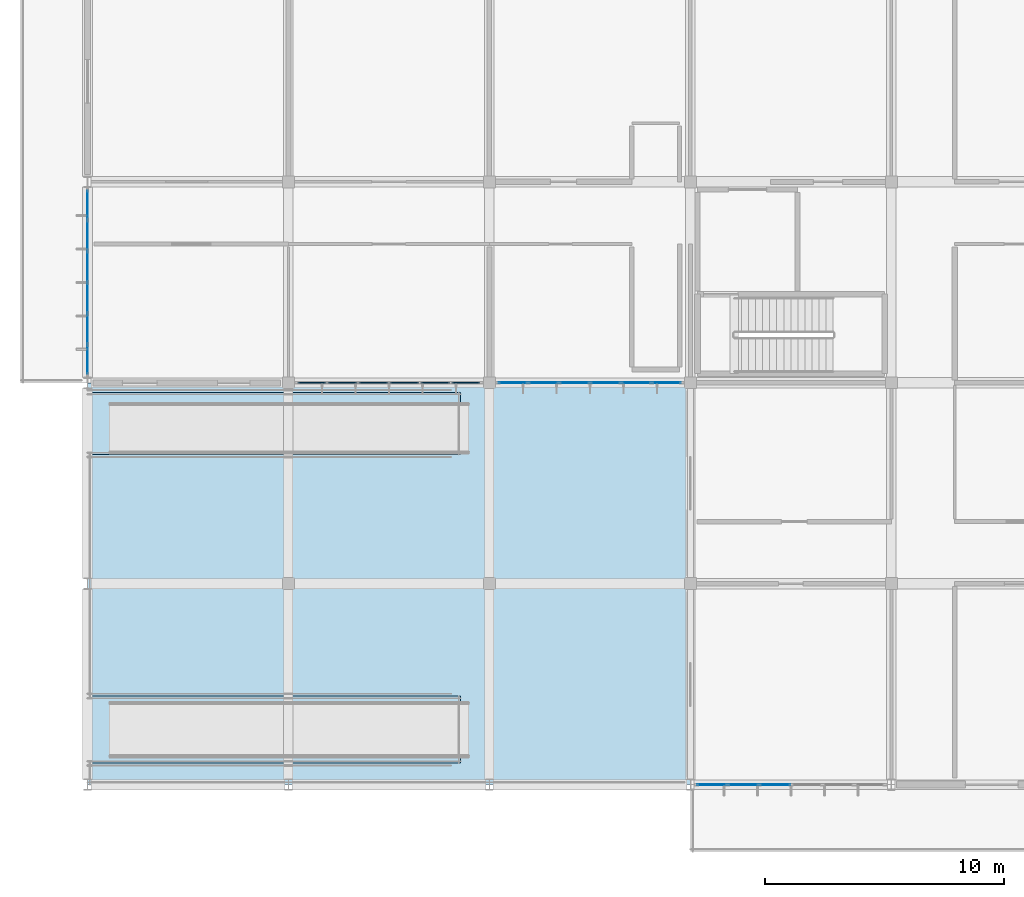
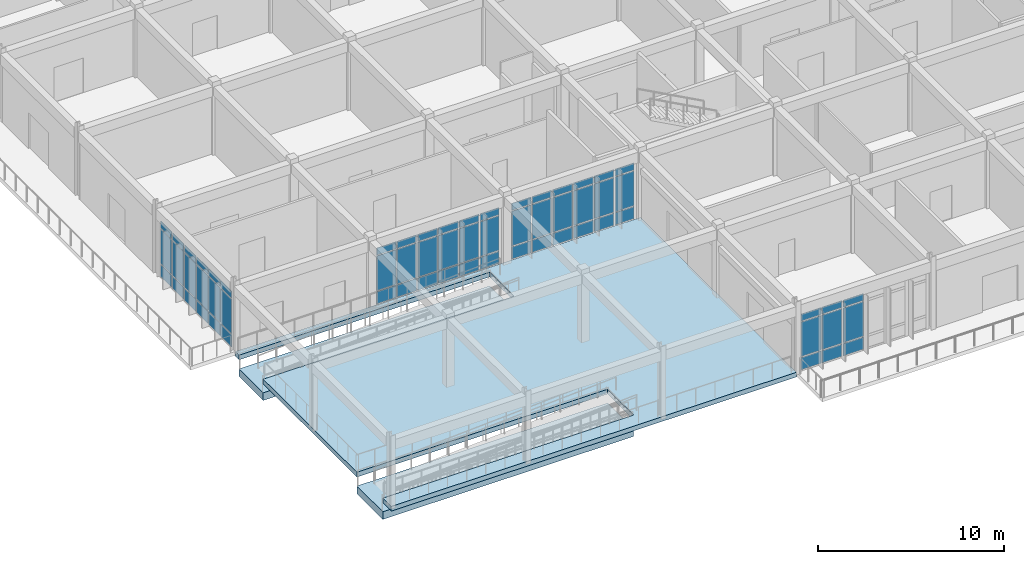
# One storey, part 63 of 138: 63 plates, 3 slabs, 4 elements without a shape of their own.
"""IFC4 building model written with IfcOpenShell, lengths in metres."""

from ifc_helpers import new_model, si_unit, direction, frame, origin, origin_2d, place, context, subcontext, project, spatial, polyline, rectangle, outline, extrude, material, layer, layer_set, type_object, element, aggregate, save


model = new_model("IFC4")

# Units and contexts
model_context = context("Model", 3, precision=1e-05, world=origin(), true_north=direction((0.0, 1.0)))
body_context = subcontext(model_context, "Body", "Model", "MODEL_VIEW")
ifc_project = project(units=[si_unit("LENGTHUNIT", "METRE"), si_unit("AREAUNIT", "SQUARE_METRE"), si_unit("VOLUMEUNIT", "CUBIC_METRE"), si_unit("PLANEANGLEUNIT", "RADIAN"), si_unit("MASSUNIT", "GRAM", prefix="KILO")], contexts=[model_context])

# Site, building, storey
site_placement = place(None, origin())
site = spatial("IfcSite", under=ifc_project, at=site_placement, CompositionType="ELEMENT")
building_placement = place(site_placement, origin())
building = spatial("IfcBuilding", under=site, at=building_placement, Name="Bramfleet General Hospital", CompositionType="ELEMENT")
storey_placement = place(building_placement, origin())
storey = spatial("IfcBuildingStorey", under=building, at=storey_placement, Name="L00", CompositionType="ELEMENT", Elevation=0.0)

# Curtain wall, plates
ifc_material_1 = material(Name="Anodised aluminium and low-E triple glazing", Category="aluminium")
ifc_layer_1 = layer(ifc_material_1, 0.179931640625, Name="CWT-CW-05")
ifc_layer_set_1 = layer_set([ifc_layer_1], Name="Anodised aluminium and low-E triple glazing")
curtain_wall_type_1 = type_object("IfcCurtainWallType", Name="CWT-CW-05", PredefinedType="USERDEFINED", material=ifc_layer_set_1)
curtain_wall_1_placement = place(storey_placement, origin())
curtain_wall_1 = element("IfcCurtainWall", 1, at=curtain_wall_1_placement, inside=storey, type_object=curtain_wall_type_1, Name="L00 Curtain Wall 41", ObjectType="Unitised curtain wall", PredefinedType="USERDEFINED")
ifc_material_2 = material(Name="Low-E laminated safety glass", Category="glass")
ifc_layer_2 = layer(ifc_material_2, 0.028076171875, Name="CWP-GLZ-1")
ifc_layer_set_2 = layer_set([ifc_layer_2], Name="Low-E laminated safety glass")
plate_type_1 = type_object("IfcPlateType", Name="CWP-GLZ-1", PredefinedType="CURTAIN_PANEL", material=ifc_layer_set_2)
plate_1_placement = place(storey_placement, frame((0.0, 17.767578125, 0.06494140625), z_axis=(0.0, 0.0, 1.0), x_axis=(0.0, 1.0, 0.0)))
plate_1 = element("IfcPlate", 2, at=plate_1_placement, type_object=plate_type_1, Name="CW-05 panel 1.1", PredefinedType="CURTAIN_PANEL", context=body_context, shape_type="SweptSolid", body=[
    extrude(rectangle(XDim=1.195068359375, YDim=0.028076171875, at=origin_2d()), origin(), (0.0, 0.0, 1.0), 0.802490234375),
])
plate_2_placement = place(storey_placement, frame((0.0, 17.767578125, 0.9326171875), z_axis=(0.0, 0.0, 1.0), x_axis=(0.0, 1.0, 0.0)))
plate_2 = element("IfcPlate", 3, at=plate_2_placement, type_object=plate_type_1, Name="CW-05 panel 1.2", PredefinedType="CURTAIN_PANEL", context=body_context, shape_type="SweptSolid", body=[
    extrude(rectangle(XDim=1.195068359375, YDim=0.028076171875, at=origin_2d()), origin(), (0.0, 0.0, 1.0), 2.27490234375),
])
plate_3_placement = place(storey_placement, frame((0.0, 17.767578125, 3.2724609375), z_axis=(0.0, 0.0, 1.0), x_axis=(0.0, 1.0, 0.0)))
plate_3 = element("IfcPlate", 4, at=plate_3_placement, type_object=plate_type_1, Name="CW-05 panel 1.3", PredefinedType="CURTAIN_PANEL", context=body_context, shape_type="SweptSolid", body=[
    extrude(rectangle(XDim=1.195068359375, YDim=0.028076171875, at=origin_2d()), origin(), (0.0, 0.0, 1.0), 0.452392578125),
])
plate_4_placement = place(storey_placement, frame((0.0, 19.050048828125, 0.06494140625), z_axis=(0.0, 0.0, 1.0), x_axis=(0.0, 1.0, 0.0)))
plate_4 = element("IfcPlate", 5, at=plate_4_placement, type_object=plate_type_1, Name="CW-05 panel 2.1", PredefinedType="CURTAIN_PANEL", context=body_context, shape_type="SweptSolid", body=[
    extrude(rectangle(XDim=1.22998046875, YDim=0.028076171875, at=origin_2d()), origin(), (0.0, 0.0, 1.0), 0.802490234375),
])
plate_5_placement = place(storey_placement, frame((0.0, 19.050048828125, 0.9326171875), z_axis=(0.0, 0.0, 1.0), x_axis=(0.0, 1.0, 0.0)))
plate_5 = element("IfcPlate", 6, at=plate_5_placement, type_object=plate_type_1, Name="CW-05 panel 2.2", PredefinedType="CURTAIN_PANEL", context=body_context, shape_type="SweptSolid", body=[
    extrude(rectangle(XDim=1.22998046875, YDim=0.028076171875, at=origin_2d()), origin(), (0.0, 0.0, 1.0), 2.27490234375),
])
plate_6_placement = place(storey_placement, frame((0.0, 19.050048828125, 3.2724609375), z_axis=(0.0, 0.0, 1.0), x_axis=(0.0, 1.0, 0.0)))
plate_6 = element("IfcPlate", 7, at=plate_6_placement, type_object=plate_type_1, Name="CW-05 panel 2.3", PredefinedType="CURTAIN_PANEL", context=body_context, shape_type="SweptSolid", body=[
    extrude(rectangle(XDim=1.22998046875, YDim=0.028076171875, at=origin_2d()), origin(), (0.0, 0.0, 1.0), 0.452392578125),
])
plate_7_placement = place(storey_placement, frame((0.0, 20.35009765625, 0.06494140625), z_axis=(0.0, 0.0, 1.0), x_axis=(0.0, 1.0, 0.0)))
plate_7 = element("IfcPlate", 8, at=plate_7_placement, type_object=plate_type_1, Name="CW-05 panel 3.1", PredefinedType="CURTAIN_PANEL", context=body_context, shape_type="SweptSolid", body=[
    extrude(rectangle(XDim=1.22998046875, YDim=0.028076171875, at=origin_2d()), origin(), (0.0, 0.0, 1.0), 0.802490234375),
])
plate_8_placement = place(storey_placement, frame((0.0, 20.35009765625, 0.9326171875), z_axis=(0.0, 0.0, 1.0), x_axis=(0.0, 1.0, 0.0)))
plate_8 = element("IfcPlate", 9, at=plate_8_placement, type_object=plate_type_1, Name="CW-05 panel 3.2", PredefinedType="CURTAIN_PANEL", context=body_context, shape_type="SweptSolid", body=[
    extrude(rectangle(XDim=1.22998046875, YDim=0.028076171875, at=origin_2d()), origin(), (0.0, 0.0, 1.0), 2.27490234375),
])
plate_9_placement = place(storey_placement, frame((0.0, 20.35009765625, 3.2724609375), z_axis=(0.0, 0.0, 1.0), x_axis=(0.0, 1.0, 0.0)))
plate_9 = element("IfcPlate", 10, at=plate_9_placement, type_object=plate_type_1, Name="CW-05 panel 3.3", PredefinedType="CURTAIN_PANEL", context=body_context, shape_type="SweptSolid", body=[
    extrude(rectangle(XDim=1.22998046875, YDim=0.028076171875, at=origin_2d()), origin(), (0.0, 0.0, 1.0), 0.452392578125),
])
plate_10_placement = place(storey_placement, frame((0.0, 21.64990234375, 0.06494140625), z_axis=(0.0, 0.0, 1.0), x_axis=(0.0, 1.0, 0.0)))
plate_10 = element("IfcPlate", 11, at=plate_10_placement, type_object=plate_type_1, Name="CW-05 panel 4.1", PredefinedType="CURTAIN_PANEL", context=body_context, shape_type="SweptSolid", body=[
    extrude(rectangle(XDim=1.22998046875, YDim=0.028076171875, at=origin_2d()), origin(), (0.0, 0.0, 1.0), 0.802490234375),
])
plate_11_placement = place(storey_placement, frame((0.0, 21.64990234375, 0.9326171875), z_axis=(0.0, 0.0, 1.0), x_axis=(0.0, 1.0, 0.0)))
plate_11 = element("IfcPlate", 12, at=plate_11_placement, type_object=plate_type_1, Name="CW-05 panel 4.2", PredefinedType="CURTAIN_PANEL", context=body_context, shape_type="SweptSolid", body=[
    extrude(rectangle(XDim=1.22998046875, YDim=0.028076171875, at=origin_2d()), origin(), (0.0, 0.0, 1.0), 2.27490234375),
])
plate_12_placement = place(storey_placement, frame((0.0, 21.64990234375, 3.2724609375), z_axis=(0.0, 0.0, 1.0), x_axis=(0.0, 1.0, 0.0)))
plate_12 = element("IfcPlate", 13, at=plate_12_placement, type_object=plate_type_1, Name="CW-05 panel 4.3", PredefinedType="CURTAIN_PANEL", context=body_context, shape_type="SweptSolid", body=[
    extrude(rectangle(XDim=1.22998046875, YDim=0.028076171875, at=origin_2d()), origin(), (0.0, 0.0, 1.0), 0.452392578125),
])
plate_13_placement = place(storey_placement, frame((0.0, 22.949951171875, 0.06494140625), z_axis=(0.0, 0.0, 1.0), x_axis=(0.0, 1.0, 0.0)))
plate_13 = element("IfcPlate", 14, at=plate_13_placement, type_object=plate_type_1, Name="CW-05 panel 5.1", PredefinedType="CURTAIN_PANEL", context=body_context, shape_type="SweptSolid", body=[
    extrude(rectangle(XDim=1.22998046875, YDim=0.028076171875, at=origin_2d()), origin(), (0.0, 0.0, 1.0), 0.802490234375),
])
plate_14_placement = place(storey_placement, frame((0.0, 22.949951171875, 0.9326171875), z_axis=(0.0, 0.0, 1.0), x_axis=(0.0, 1.0, 0.0)))
plate_14 = element("IfcPlate", 15, at=plate_14_placement, type_object=plate_type_1, Name="CW-05 panel 5.2", PredefinedType="CURTAIN_PANEL", context=body_context, shape_type="SweptSolid", body=[
    extrude(rectangle(XDim=1.22998046875, YDim=0.028076171875, at=origin_2d()), origin(), (0.0, 0.0, 1.0), 2.27490234375),
])
plate_15_placement = place(storey_placement, frame((0.0, 22.949951171875, 3.2724609375), z_axis=(0.0, 0.0, 1.0), x_axis=(0.0, 1.0, 0.0)))
plate_15 = element("IfcPlate", 16, at=plate_15_placement, type_object=plate_type_1, Name="CW-05 panel 5.3", PredefinedType="CURTAIN_PANEL", context=body_context, shape_type="SweptSolid", body=[
    extrude(rectangle(XDim=1.22998046875, YDim=0.028076171875, at=origin_2d()), origin(), (0.0, 0.0, 1.0), 0.452392578125),
])
plate_16_placement = place(storey_placement, frame((0.0, 24.232421875, 0.06494140625), z_axis=(0.0, 0.0, 1.0), x_axis=(0.0, 1.0, 0.0)))
plate_16 = element("IfcPlate", 17, at=plate_16_placement, type_object=plate_type_1, Name="CW-05 panel 6.1", PredefinedType="CURTAIN_PANEL", context=body_context, shape_type="SweptSolid", body=[
    extrude(rectangle(XDim=1.195068359375, YDim=0.028076171875, at=origin_2d()), origin(), (0.0, 0.0, 1.0), 0.802490234375),
])
plate_17_placement = place(storey_placement, frame((0.0, 24.232421875, 0.9326171875), z_axis=(0.0, 0.0, 1.0), x_axis=(0.0, 1.0, 0.0)))
plate_17 = element("IfcPlate", 18, at=plate_17_placement, type_object=plate_type_1, Name="CW-05 panel 6.2", PredefinedType="CURTAIN_PANEL", context=body_context, shape_type="SweptSolid", body=[
    extrude(rectangle(XDim=1.195068359375, YDim=0.028076171875, at=origin_2d()), origin(), (0.0, 0.0, 1.0), 2.27490234375),
])
plate_18_placement = place(storey_placement, frame((0.0, 24.232421875, 3.2724609375), z_axis=(0.0, 0.0, 1.0), x_axis=(0.0, 1.0, 0.0)))
plate_18 = element("IfcPlate", 19, at=plate_18_placement, type_object=plate_type_1, Name="CW-05 panel 6.3", PredefinedType="CURTAIN_PANEL", context=body_context, shape_type="SweptSolid", body=[
    extrude(rectangle(XDim=1.195068359375, YDim=0.028076171875, at=origin_2d()), origin(), (0.0, 0.0, 1.0), 0.452392578125),
])
aggregate(curtain_wall_1, [plate_1, plate_2, plate_3, plate_4, plate_5, plate_6, plate_7, plate_8, plate_9, plate_10, plate_11, plate_12, plate_13, plate_14, plate_15, plate_16, plate_17, plate_18])

ifc_layer_3 = layer(ifc_material_1, 0.179931640625, Name="CWT-CW-02")
ifc_layer_set_3 = layer_set([ifc_layer_3], Name="Anodised aluminium and low-E triple glazing")
curtain_wall_type_2 = type_object("IfcCurtainWallType", Name="CWT-CW-02", PredefinedType="USERDEFINED", material=ifc_layer_set_3)
curtain_wall_2_placement = place(storey_placement, origin())
curtain_wall_2 = element("IfcCurtainWall", 20, at=curtain_wall_2_placement, inside=storey, type_object=curtain_wall_type_2, Name="L00 Curtain Wall 38", ObjectType="Unitised curtain wall", PredefinedType="USERDEFINED")
ifc_layer_4 = layer(ifc_material_2, 0.031982421875, Name="CWP-GLZ-2")
ifc_layer_set_4 = layer_set([ifc_layer_4], Name="Low-E laminated safety glass")
plate_type_2 = type_object("IfcPlateType", Name="CWP-GLZ-2", PredefinedType="CURTAIN_PANEL", material=ifc_layer_set_4)
plate_19_placement = place(storey_placement, frame((28.737548828125, 0.0, 0.06494140625), z_axis=(0.0, 0.0, 1.0), x_axis=(-1.0, 0.0, 0.0)))
plate_19 = element("IfcPlate", 21, at=plate_19_placement, type_object=plate_type_2, Name="CW-02 panel 4.1", PredefinedType="CURTAIN_PANEL", context=body_context, shape_type="SweptSolid", body=[
    extrude(rectangle(XDim=1.2548828125, YDim=0.031982421875, at=origin_2d()), origin(), (0.0, 0.0, 1.0), 0.802490234375),
])
plate_20_placement = place(storey_placement, frame((28.737548828125, 0.0, 0.9326171875), z_axis=(0.0, 0.0, 1.0), x_axis=(-1.0, 0.0, 0.0)))
plate_20 = element("IfcPlate", 22, at=plate_20_placement, type_object=plate_type_2, Name="CW-02 panel 4.2", PredefinedType="CURTAIN_PANEL", context=body_context, shape_type="SweptSolid", body=[
    extrude(rectangle(XDim=1.2548828125, YDim=0.031982421875, at=origin_2d()), origin(), (0.0, 0.0, 1.0), 2.27490234375),
])
plate_21_placement = place(storey_placement, frame((28.737548828125, 0.0, 3.2724609375), z_axis=(0.0, 0.0, 1.0), x_axis=(-1.0, 0.0, 0.0)))
plate_21 = element("IfcPlate", 23, at=plate_21_placement, type_object=plate_type_2, Name="CW-02 panel 4.3", PredefinedType="CURTAIN_PANEL", context=body_context, shape_type="SweptSolid", body=[
    extrude(rectangle(XDim=1.2548828125, YDim=0.031982421875, at=origin_2d()), origin(), (0.0, 0.0, 1.0), 0.452392578125),
])
plate_22_placement = place(storey_placement, frame((27.41259765625, 0.0, 0.06494140625), z_axis=(0.0, 0.0, 1.0), x_axis=(-1.0, 0.0, 0.0)))
plate_22 = element("IfcPlate", 24, at=plate_22_placement, type_object=plate_type_2, Name="CW-02 panel 5.1", PredefinedType="CURTAIN_PANEL", context=body_context, shape_type="SweptSolid", body=[
    extrude(rectangle(XDim=1.2548828125, YDim=0.031982421875, at=origin_2d()), origin(), (0.0, 0.0, 1.0), 0.802490234375),
])
plate_23_placement = place(storey_placement, frame((27.41259765625, 0.0, 0.9326171875), z_axis=(0.0, 0.0, 1.0), x_axis=(-1.0, 0.0, 0.0)))
plate_23 = element("IfcPlate", 25, at=plate_23_placement, type_object=plate_type_2, Name="CW-02 panel 5.2", PredefinedType="CURTAIN_PANEL", context=body_context, shape_type="SweptSolid", body=[
    extrude(rectangle(XDim=1.2548828125, YDim=0.031982421875, at=origin_2d()), origin(), (0.0, 0.0, 1.0), 2.27490234375),
])
plate_24_placement = place(storey_placement, frame((27.41259765625, 0.0, 3.2724609375), z_axis=(0.0, 0.0, 1.0), x_axis=(-1.0, 0.0, 0.0)))
plate_24 = element("IfcPlate", 26, at=plate_24_placement, type_object=plate_type_2, Name="CW-02 panel 5.3", PredefinedType="CURTAIN_PANEL", context=body_context, shape_type="SweptSolid", body=[
    extrude(rectangle(XDim=1.2548828125, YDim=0.031982421875, at=origin_2d()), origin(), (0.0, 0.0, 1.0), 0.452392578125),
])
plate_25_placement = place(storey_placement, frame((26.10498046875, 0.0, 0.06494140625), z_axis=(0.0, 0.0, 1.0), x_axis=(-1.0, 0.0, 0.0)))
plate_25 = element("IfcPlate", 27, at=plate_25_placement, type_object=plate_type_2, Name="CW-02 panel 6.1", PredefinedType="CURTAIN_PANEL", context=body_context, shape_type="SweptSolid", body=[
    extrude(rectangle(XDim=1.219970703125, YDim=0.031982421875, at=origin_2d()), origin(), (0.0, 0.0, 1.0), 0.802490234375),
])
plate_26_placement = place(storey_placement, frame((26.10498046875, 0.0, 0.9326171875), z_axis=(0.0, 0.0, 1.0), x_axis=(-1.0, 0.0, 0.0)))
plate_26 = element("IfcPlate", 28, at=plate_26_placement, type_object=plate_type_2, Name="CW-02 panel 6.2", PredefinedType="CURTAIN_PANEL", context=body_context, shape_type="SweptSolid", body=[
    extrude(rectangle(XDim=1.219970703125, YDim=0.031982421875, at=origin_2d()), origin(), (0.0, 0.0, 1.0), 2.27490234375),
])
plate_27_placement = place(storey_placement, frame((26.10498046875, 0.0, 3.2724609375), z_axis=(0.0, 0.0, 1.0), x_axis=(-1.0, 0.0, 0.0)))
plate_27 = element("IfcPlate", 29, at=plate_27_placement, type_object=plate_type_2, Name="CW-02 panel 6.3", PredefinedType="CURTAIN_PANEL", context=body_context, shape_type="SweptSolid", body=[
    extrude(rectangle(XDim=1.219970703125, YDim=0.031982421875, at=origin_2d()), origin(), (0.0, 0.0, 1.0), 0.452392578125),
])
aggregate(curtain_wall_2, [plate_19, plate_20, plate_21, plate_22, plate_23, plate_24, plate_25, plate_26, plate_27])

ifc_layer_5 = layer(ifc_material_1, 0.179931640625, Name="CWT-CW-03")
ifc_layer_set_5 = layer_set([ifc_layer_5], Name="Anodised aluminium and low-E triple glazing")
curtain_wall_type_3 = type_object("IfcCurtainWallType", Name="CWT-CW-03", PredefinedType="USERDEFINED", material=ifc_layer_set_5)
curtain_wall_3_placement = place(storey_placement, origin())
curtain_wall_3 = element("IfcCurtainWall", 30, at=curtain_wall_3_placement, inside=storey, type_object=curtain_wall_type_3, Name="L00 Curtain Wall 39", ObjectType="Unitised curtain wall", PredefinedType="USERDEFINED")
ifc_layer_6 = layer(ifc_material_2, 0.035888671875, Name="CWP-GLZ-3")
ifc_layer_set_6 = layer_set([ifc_layer_6], Name="Low-E laminated safety glass")
plate_type_3 = type_object("IfcPlateType", Name="CWP-GLZ-3", PredefinedType="CURTAIN_PANEL", material=ifc_layer_set_6)
plate_28_placement = place(storey_placement, frame((24.211669921875, 16.800048828125, 0.06494140625), z_axis=(0.0, 0.0, 1.0), x_axis=(-1.0, 0.0, 0.0)))
plate_28 = element("IfcPlate", 31, at=plate_28_placement, type_object=plate_type_3, Name="CW-03 panel 1.1", PredefinedType="CURTAIN_PANEL", context=body_context, shape_type="SweptSolid", body=[
    extrude(rectangle(XDim=1.186767578125, YDim=0.035888671875, at=origin_2d()), origin(), (0.0, 0.0, 1.0), 0.802490234375),
])
plate_29_placement = place(storey_placement, frame((24.211669921875, 16.800048828125, 0.9326171875), z_axis=(0.0, 0.0, 1.0), x_axis=(-1.0, 0.0, 0.0)))
plate_29 = element("IfcPlate", 32, at=plate_29_placement, type_object=plate_type_3, Name="CW-03 panel 1.2", PredefinedType="CURTAIN_PANEL", context=body_context, shape_type="SweptSolid", body=[
    extrude(rectangle(XDim=1.186767578125, YDim=0.035888671875, at=origin_2d()), origin(), (0.0, 0.0, 1.0), 2.27490234375),
])
plate_30_placement = place(storey_placement, frame((24.211669921875, 16.800048828125, 3.2724609375), z_axis=(0.0, 0.0, 1.0), x_axis=(-1.0, 0.0, 0.0)))
plate_30 = element("IfcPlate", 33, at=plate_30_placement, type_object=plate_type_3, Name="CW-03 panel 1.3", PredefinedType="CURTAIN_PANEL", context=body_context, shape_type="SweptSolid", body=[
    extrude(rectangle(XDim=1.186767578125, YDim=0.035888671875, at=origin_2d()), origin(), (0.0, 0.0, 1.0), 0.452392578125),
])
plate_31_placement = place(storey_placement, frame((22.9375, 16.800048828125, 0.06494140625), z_axis=(0.0, 0.0, 1.0), x_axis=(-1.0, 0.0, 0.0)))
plate_31 = element("IfcPlate", 34, at=plate_31_placement, type_object=plate_type_3, Name="CW-03 panel 2.1", PredefinedType="CURTAIN_PANEL", context=body_context, shape_type="SweptSolid", body=[
    extrude(rectangle(XDim=1.2216796875, YDim=0.035888671875, at=origin_2d()), origin(), (0.0, 0.0, 1.0), 0.802490234375),
])
plate_32_placement = place(storey_placement, frame((22.9375, 16.800048828125, 0.9326171875), z_axis=(0.0, 0.0, 1.0), x_axis=(-1.0, 0.0, 0.0)))
plate_32 = element("IfcPlate", 35, at=plate_32_placement, type_object=plate_type_3, Name="CW-03 panel 2.2", PredefinedType="CURTAIN_PANEL", context=body_context, shape_type="SweptSolid", body=[
    extrude(rectangle(XDim=1.2216796875, YDim=0.035888671875, at=origin_2d()), origin(), (0.0, 0.0, 1.0), 2.27490234375),
])
plate_33_placement = place(storey_placement, frame((22.9375, 16.800048828125, 3.2724609375), z_axis=(0.0, 0.0, 1.0), x_axis=(-1.0, 0.0, 0.0)))
plate_33 = element("IfcPlate", 36, at=plate_33_placement, type_object=plate_type_3, Name="CW-03 panel 2.3", PredefinedType="CURTAIN_PANEL", context=body_context, shape_type="SweptSolid", body=[
    extrude(rectangle(XDim=1.2216796875, YDim=0.035888671875, at=origin_2d()), origin(), (0.0, 0.0, 1.0), 0.452392578125),
])
plate_34_placement = place(storey_placement, frame((21.645751953125, 16.800048828125, 0.06494140625), z_axis=(0.0, 0.0, 1.0), x_axis=(-1.0, 0.0, 0.0)))
plate_34 = element("IfcPlate", 37, at=plate_34_placement, type_object=plate_type_3, Name="CW-03 panel 3.1", PredefinedType="CURTAIN_PANEL", context=body_context, shape_type="SweptSolid", body=[
    extrude(rectangle(XDim=1.2216796875, YDim=0.035888671875, at=origin_2d()), origin(), (0.0, 0.0, 1.0), 0.802490234375),
])
plate_35_placement = place(storey_placement, frame((21.645751953125, 16.800048828125, 0.9326171875), z_axis=(0.0, 0.0, 1.0), x_axis=(-1.0, 0.0, 0.0)))
plate_35 = element("IfcPlate", 38, at=plate_35_placement, type_object=plate_type_3, Name="CW-03 panel 3.2", PredefinedType="CURTAIN_PANEL", context=body_context, shape_type="SweptSolid", body=[
    extrude(rectangle(XDim=1.2216796875, YDim=0.035888671875, at=origin_2d()), origin(), (0.0, 0.0, 1.0), 2.27490234375),
])
plate_36_placement = place(storey_placement, frame((21.645751953125, 16.800048828125, 3.2724609375), z_axis=(0.0, 0.0, 1.0), x_axis=(-1.0, 0.0, 0.0)))
plate_36 = element("IfcPlate", 39, at=plate_36_placement, type_object=plate_type_3, Name="CW-03 panel 3.3", PredefinedType="CURTAIN_PANEL", context=body_context, shape_type="SweptSolid", body=[
    extrude(rectangle(XDim=1.2216796875, YDim=0.035888671875, at=origin_2d()), origin(), (0.0, 0.0, 1.0), 0.452392578125),
])
plate_37_placement = place(storey_placement, frame((20.354248046875, 16.800048828125, 0.06494140625), z_axis=(0.0, 0.0, 1.0), x_axis=(-1.0, 0.0, 0.0)))
plate_37 = element("IfcPlate", 40, at=plate_37_placement, type_object=plate_type_3, Name="CW-03 panel 4.1", PredefinedType="CURTAIN_PANEL", context=body_context, shape_type="SweptSolid", body=[
    extrude(rectangle(XDim=1.2216796875, YDim=0.035888671875, at=origin_2d()), origin(), (0.0, 0.0, 1.0), 0.802490234375),
])
plate_38_placement = place(storey_placement, frame((20.354248046875, 16.800048828125, 0.9326171875), z_axis=(0.0, 0.0, 1.0), x_axis=(-1.0, 0.0, 0.0)))
plate_38 = element("IfcPlate", 41, at=plate_38_placement, type_object=plate_type_3, Name="CW-03 panel 4.2", PredefinedType="CURTAIN_PANEL", context=body_context, shape_type="SweptSolid", body=[
    extrude(rectangle(XDim=1.2216796875, YDim=0.035888671875, at=origin_2d()), origin(), (0.0, 0.0, 1.0), 2.27490234375),
])
plate_39_placement = place(storey_placement, frame((20.354248046875, 16.800048828125, 3.2724609375), z_axis=(0.0, 0.0, 1.0), x_axis=(-1.0, 0.0, 0.0)))
plate_39 = element("IfcPlate", 42, at=plate_39_placement, type_object=plate_type_3, Name="CW-03 panel 4.3", PredefinedType="CURTAIN_PANEL", context=body_context, shape_type="SweptSolid", body=[
    extrude(rectangle(XDim=1.2216796875, YDim=0.035888671875, at=origin_2d()), origin(), (0.0, 0.0, 1.0), 0.452392578125),
])
plate_40_placement = place(storey_placement, frame((19.0625, 16.800048828125, 0.06494140625), z_axis=(0.0, 0.0, 1.0), x_axis=(-1.0, 0.0, 0.0)))
plate_40 = element("IfcPlate", 43, at=plate_40_placement, type_object=plate_type_3, Name="CW-03 panel 5.1", PredefinedType="CURTAIN_PANEL", context=body_context, shape_type="SweptSolid", body=[
    extrude(rectangle(XDim=1.2216796875, YDim=0.035888671875, at=origin_2d()), origin(), (0.0, 0.0, 1.0), 0.802490234375),
])
plate_41_placement = place(storey_placement, frame((19.0625, 16.800048828125, 0.9326171875), z_axis=(0.0, 0.0, 1.0), x_axis=(-1.0, 0.0, 0.0)))
plate_41 = element("IfcPlate", 44, at=plate_41_placement, type_object=plate_type_3, Name="CW-03 panel 5.2", PredefinedType="CURTAIN_PANEL", context=body_context, shape_type="SweptSolid", body=[
    extrude(rectangle(XDim=1.2216796875, YDim=0.035888671875, at=origin_2d()), origin(), (0.0, 0.0, 1.0), 2.27490234375),
])
plate_42_placement = place(storey_placement, frame((19.0625, 16.800048828125, 3.2724609375), z_axis=(0.0, 0.0, 1.0), x_axis=(-1.0, 0.0, 0.0)))
plate_42 = element("IfcPlate", 45, at=plate_42_placement, type_object=plate_type_3, Name="CW-03 panel 5.3", PredefinedType="CURTAIN_PANEL", context=body_context, shape_type="SweptSolid", body=[
    extrude(rectangle(XDim=1.2216796875, YDim=0.035888671875, at=origin_2d()), origin(), (0.0, 0.0, 1.0), 0.452392578125),
])
plate_43_placement = place(storey_placement, frame((17.788330078125, 16.800048828125, 0.06494140625), z_axis=(0.0, 0.0, 1.0), x_axis=(-1.0, 0.0, 0.0)))
plate_43 = element("IfcPlate", 46, at=plate_43_placement, type_object=plate_type_3, Name="CW-03 panel 6.1", PredefinedType="CURTAIN_PANEL", context=body_context, shape_type="SweptSolid", body=[
    extrude(rectangle(XDim=1.186767578125, YDim=0.035888671875, at=origin_2d()), origin(), (0.0, 0.0, 1.0), 0.802490234375),
])
plate_44_placement = place(storey_placement, frame((17.788330078125, 16.800048828125, 0.9326171875), z_axis=(0.0, 0.0, 1.0), x_axis=(-1.0, 0.0, 0.0)))
plate_44 = element("IfcPlate", 47, at=plate_44_placement, type_object=plate_type_3, Name="CW-03 panel 6.2", PredefinedType="CURTAIN_PANEL", context=body_context, shape_type="SweptSolid", body=[
    extrude(rectangle(XDim=1.186767578125, YDim=0.035888671875, at=origin_2d()), origin(), (0.0, 0.0, 1.0), 2.27490234375),
])
plate_45_placement = place(storey_placement, frame((17.788330078125, 16.800048828125, 3.2724609375), z_axis=(0.0, 0.0, 1.0), x_axis=(-1.0, 0.0, 0.0)))
plate_45 = element("IfcPlate", 48, at=plate_45_placement, type_object=plate_type_3, Name="CW-03 panel 6.3", PredefinedType="CURTAIN_PANEL", context=body_context, shape_type="SweptSolid", body=[
    extrude(rectangle(XDim=1.186767578125, YDim=0.035888671875, at=origin_2d()), origin(), (0.0, 0.0, 1.0), 0.452392578125),
])
aggregate(curtain_wall_3, [plate_28, plate_29, plate_30, plate_31, plate_32, plate_33, plate_34, plate_35, plate_36, plate_37, plate_38, plate_39, plate_40, plate_41, plate_42, plate_43, plate_44, plate_45])

ifc_layer_7 = layer(ifc_material_1, 0.179931640625, Name="CWT-CW-04")
ifc_layer_set_7 = layer_set([ifc_layer_7], Name="Anodised aluminium and low-E triple glazing")
curtain_wall_type_4 = type_object("IfcCurtainWallType", Name="CWT-CW-04", PredefinedType="USERDEFINED", material=ifc_layer_set_7)
curtain_wall_4_placement = place(storey_placement, origin())
curtain_wall_4 = element("IfcCurtainWall", 49, at=curtain_wall_4_placement, inside=storey, type_object=curtain_wall_type_4, Name="L00 Curtain Wall 40", ObjectType="Unitised curtain wall", PredefinedType="USERDEFINED")
ifc_layer_8 = layer(ifc_material_2, 0.0419921875, Name="CWP-GLZ-4")
ifc_layer_set_8 = layer_set([ifc_layer_8], Name="Low-E laminated safety glass")
plate_type_4 = type_object("IfcPlateType", Name="CWP-GLZ-4", PredefinedType="CURTAIN_PANEL", material=ifc_layer_set_8)
plate_46_placement = place(storey_placement, frame((15.811767578125, 16.800048828125, 0.06494140625), z_axis=(0.0, 0.0, 1.0), x_axis=(-1.0, 0.0, 0.0)))
plate_46 = element("IfcPlate", 50, at=plate_46_placement, type_object=plate_type_4, Name="CW-04 panel 1.1", PredefinedType="CURTAIN_PANEL", context=body_context, shape_type="SweptSolid", body=[
    extrude(rectangle(XDim=1.186767578125, YDim=0.0419921875, at=origin_2d()), origin(), (0.0, 0.0, 1.0), 0.802490234375),
])
plate_47_placement = place(storey_placement, frame((15.811767578125, 16.800048828125, 0.9326171875), z_axis=(0.0, 0.0, 1.0), x_axis=(-1.0, 0.0, 0.0)))
plate_47 = element("IfcPlate", 51, at=plate_47_placement, type_object=plate_type_4, Name="CW-04 panel 1.2", PredefinedType="CURTAIN_PANEL", context=body_context, shape_type="SweptSolid", body=[
    extrude(rectangle(XDim=1.186767578125, YDim=0.0419921875, at=origin_2d()), origin(), (0.0, 0.0, 1.0), 2.27490234375),
])
plate_48_placement = place(storey_placement, frame((15.811767578125, 16.800048828125, 3.2724609375), z_axis=(0.0, 0.0, 1.0), x_axis=(-1.0, 0.0, 0.0)))
plate_48 = element("IfcPlate", 52, at=plate_48_placement, type_object=plate_type_4, Name="CW-04 panel 1.3", PredefinedType="CURTAIN_PANEL", context=body_context, shape_type="SweptSolid", body=[
    extrude(rectangle(XDim=1.186767578125, YDim=0.0419921875, at=origin_2d()), origin(), (0.0, 0.0, 1.0), 0.452392578125),
])
plate_49_placement = place(storey_placement, frame((14.53759765625, 16.800048828125, 0.06494140625), z_axis=(0.0, 0.0, 1.0), x_axis=(-1.0, 0.0, 0.0)))
plate_49 = element("IfcPlate", 53, at=plate_49_placement, type_object=plate_type_4, Name="CW-04 panel 2.1", PredefinedType="CURTAIN_PANEL", context=body_context, shape_type="SweptSolid", body=[
    extrude(rectangle(XDim=1.2216796875, YDim=0.0419921875, at=origin_2d()), origin(), (0.0, 0.0, 1.0), 0.802490234375),
])
plate_50_placement = place(storey_placement, frame((14.53759765625, 16.800048828125, 0.9326171875), z_axis=(0.0, 0.0, 1.0), x_axis=(-1.0, 0.0, 0.0)))
plate_50 = element("IfcPlate", 54, at=plate_50_placement, type_object=plate_type_4, Name="CW-04 panel 2.2", PredefinedType="CURTAIN_PANEL", context=body_context, shape_type="SweptSolid", body=[
    extrude(rectangle(XDim=1.2216796875, YDim=0.0419921875, at=origin_2d()), origin(), (0.0, 0.0, 1.0), 2.27490234375),
])
plate_51_placement = place(storey_placement, frame((14.53759765625, 16.800048828125, 3.2724609375), z_axis=(0.0, 0.0, 1.0), x_axis=(-1.0, 0.0, 0.0)))
plate_51 = element("IfcPlate", 55, at=plate_51_placement, type_object=plate_type_4, Name="CW-04 panel 2.3", PredefinedType="CURTAIN_PANEL", context=body_context, shape_type="SweptSolid", body=[
    extrude(rectangle(XDim=1.2216796875, YDim=0.0419921875, at=origin_2d()), origin(), (0.0, 0.0, 1.0), 0.452392578125),
])
plate_52_placement = place(storey_placement, frame((13.245849609375, 16.800048828125, 0.06494140625), z_axis=(0.0, 0.0, 1.0), x_axis=(-1.0, 0.0, 0.0)))
plate_52 = element("IfcPlate", 56, at=plate_52_placement, type_object=plate_type_4, Name="CW-04 panel 3.1", PredefinedType="CURTAIN_PANEL", context=body_context, shape_type="SweptSolid", body=[
    extrude(rectangle(XDim=1.2216796875, YDim=0.0419921875, at=origin_2d()), origin(), (0.0, 0.0, 1.0), 0.802490234375),
])
plate_53_placement = place(storey_placement, frame((13.245849609375, 16.800048828125, 0.9326171875), z_axis=(0.0, 0.0, 1.0), x_axis=(-1.0, 0.0, 0.0)))
plate_53 = element("IfcPlate", 57, at=plate_53_placement, type_object=plate_type_4, Name="CW-04 panel 3.2", PredefinedType="CURTAIN_PANEL", context=body_context, shape_type="SweptSolid", body=[
    extrude(rectangle(XDim=1.2216796875, YDim=0.0419921875, at=origin_2d()), origin(), (0.0, 0.0, 1.0), 2.27490234375),
])
plate_54_placement = place(storey_placement, frame((13.245849609375, 16.800048828125, 3.2724609375), z_axis=(0.0, 0.0, 1.0), x_axis=(-1.0, 0.0, 0.0)))
plate_54 = element("IfcPlate", 58, at=plate_54_placement, type_object=plate_type_4, Name="CW-04 panel 3.3", PredefinedType="CURTAIN_PANEL", context=body_context, shape_type="SweptSolid", body=[
    extrude(rectangle(XDim=1.2216796875, YDim=0.0419921875, at=origin_2d()), origin(), (0.0, 0.0, 1.0), 0.452392578125),
])
plate_55_placement = place(storey_placement, frame((11.9541015625, 16.800048828125, 0.06494140625), z_axis=(0.0, 0.0, 1.0), x_axis=(-1.0, 0.0, 0.0)))
plate_55 = element("IfcPlate", 59, at=plate_55_placement, type_object=plate_type_4, Name="CW-04 panel 4.1", PredefinedType="CURTAIN_PANEL", context=body_context, shape_type="SweptSolid", body=[
    extrude(rectangle(XDim=1.2216796875, YDim=0.0419921875, at=origin_2d()), origin(), (0.0, 0.0, 1.0), 0.802490234375),
])
plate_56_placement = place(storey_placement, frame((11.9541015625, 16.800048828125, 0.9326171875), z_axis=(0.0, 0.0, 1.0), x_axis=(-1.0, 0.0, 0.0)))
plate_56 = element("IfcPlate", 60, at=plate_56_placement, type_object=plate_type_4, Name="CW-04 panel 4.2", PredefinedType="CURTAIN_PANEL", context=body_context, shape_type="SweptSolid", body=[
    extrude(rectangle(XDim=1.2216796875, YDim=0.0419921875, at=origin_2d()), origin(), (0.0, 0.0, 1.0), 2.27490234375),
])
plate_57_placement = place(storey_placement, frame((11.9541015625, 16.800048828125, 3.2724609375), z_axis=(0.0, 0.0, 1.0), x_axis=(-1.0, 0.0, 0.0)))
plate_57 = element("IfcPlate", 61, at=plate_57_placement, type_object=plate_type_4, Name="CW-04 panel 4.3", PredefinedType="CURTAIN_PANEL", context=body_context, shape_type="SweptSolid", body=[
    extrude(rectangle(XDim=1.2216796875, YDim=0.0419921875, at=origin_2d()), origin(), (0.0, 0.0, 1.0), 0.452392578125),
])
plate_58_placement = place(storey_placement, frame((10.66259765625, 16.800048828125, 0.06494140625), z_axis=(0.0, 0.0, 1.0), x_axis=(-1.0, 0.0, 0.0)))
plate_58 = element("IfcPlate", 62, at=plate_58_placement, type_object=plate_type_4, Name="CW-04 panel 5.1", PredefinedType="CURTAIN_PANEL", context=body_context, shape_type="SweptSolid", body=[
    extrude(rectangle(XDim=1.2216796875, YDim=0.0419921875, at=origin_2d()), origin(), (0.0, 0.0, 1.0), 0.802490234375),
])
plate_59_placement = place(storey_placement, frame((10.66259765625, 16.800048828125, 0.9326171875), z_axis=(0.0, 0.0, 1.0), x_axis=(-1.0, 0.0, 0.0)))
plate_59 = element("IfcPlate", 63, at=plate_59_placement, type_object=plate_type_4, Name="CW-04 panel 5.2", PredefinedType="CURTAIN_PANEL", context=body_context, shape_type="SweptSolid", body=[
    extrude(rectangle(XDim=1.2216796875, YDim=0.0419921875, at=origin_2d()), origin(), (0.0, 0.0, 1.0), 2.27490234375),
])
plate_60_placement = place(storey_placement, frame((10.66259765625, 16.800048828125, 3.2724609375), z_axis=(0.0, 0.0, 1.0), x_axis=(-1.0, 0.0, 0.0)))
plate_60 = element("IfcPlate", 64, at=plate_60_placement, type_object=plate_type_4, Name="CW-04 panel 5.3", PredefinedType="CURTAIN_PANEL", context=body_context, shape_type="SweptSolid", body=[
    extrude(rectangle(XDim=1.2216796875, YDim=0.0419921875, at=origin_2d()), origin(), (0.0, 0.0, 1.0), 0.452392578125),
])
plate_61_placement = place(storey_placement, frame((9.388427734375, 16.800048828125, 0.06494140625), z_axis=(0.0, 0.0, 1.0), x_axis=(-1.0, 0.0, 0.0)))
plate_61 = element("IfcPlate", 65, at=plate_61_placement, type_object=plate_type_4, Name="CW-04 panel 6.1", PredefinedType="CURTAIN_PANEL", context=body_context, shape_type="SweptSolid", body=[
    extrude(rectangle(XDim=1.186767578125, YDim=0.0419921875, at=origin_2d()), origin(), (0.0, 0.0, 1.0), 0.802490234375),
])
plate_62_placement = place(storey_placement, frame((9.388427734375, 16.800048828125, 0.9326171875), z_axis=(0.0, 0.0, 1.0), x_axis=(-1.0, 0.0, 0.0)))
plate_62 = element("IfcPlate", 66, at=plate_62_placement, type_object=plate_type_4, Name="CW-04 panel 6.2", PredefinedType="CURTAIN_PANEL", context=body_context, shape_type="SweptSolid", body=[
    extrude(rectangle(XDim=1.186767578125, YDim=0.0419921875, at=origin_2d()), origin(), (0.0, 0.0, 1.0), 2.27490234375),
])
plate_63_placement = place(storey_placement, frame((9.388427734375, 16.800048828125, 3.2724609375), z_axis=(0.0, 0.0, 1.0), x_axis=(-1.0, 0.0, 0.0)))
plate_63 = element("IfcPlate", 67, at=plate_63_placement, type_object=plate_type_4, Name="CW-04 panel 6.3", PredefinedType="CURTAIN_PANEL", context=body_context, shape_type="SweptSolid", body=[
    extrude(rectangle(XDim=1.186767578125, YDim=0.0419921875, at=origin_2d()), origin(), (0.0, 0.0, 1.0), 0.452392578125),
])
aggregate(curtain_wall_4, [plate_46, plate_47, plate_48, plate_49, plate_50, plate_51, plate_52, plate_53, plate_54, plate_55, plate_56, plate_57, plate_58, plate_59, plate_60, plate_61, plate_62, plate_63])

# Slabs
ifc_material_3 = material(Name="Concrete C35/45", Category="concrete")
ifc_layer_9 = layer(ifc_material_3, 0.5, Name="SL-BASE-500")
ifc_layer_set_9 = layer_set([ifc_layer_9], Name="Concrete C35/45")
slab_type_1 = type_object("IfcSlabType", Name="SL-BASE-500", PredefinedType="BASESLAB", material=ifc_layer_set_9)
slab_1_placement = place(storey_placement, frame((0.0, 0.0, -1.39990234375)))
element("IfcSlab", 68, at=slab_1_placement, inside=storey, type_object=slab_type_1, Name="Grounded Ramp Pocket Slab 3", PredefinedType="BASESLAB", context=body_context, shape_type="SweptSolid", body=[
    extrude(outline(polyline([(0.0, 0.89990234375), (15.60009765625, 0.89990234375), (15.60009765625, 3.699951171875), (0.0, 3.699951171875), (0.0, 0.89990234375)])), origin(), (0.0, 0.0, 1.0), 0.5),
])
slab_2_placement = place(storey_placement, frame((0.0, 0.0, -1.39990234375)))
element("IfcSlab", 69, at=slab_2_placement, inside=storey, type_object=slab_type_1, Name="Grounded Ramp Pocket Slab 4", PredefinedType="BASESLAB", context=body_context, shape_type="SweptSolid", body=[
    extrude(outline(polyline([(0.0, 13.800048828125), (15.60009765625, 13.800048828125), (15.60009765625, 16.39990234375), (0.0, 16.39990234375), (0.0, 13.800048828125)])), origin(), (0.0, 0.0, 1.0), 0.5),
])
ifc_layer_10 = layer(ifc_material_3, 0.31005859375, Name="SL-TER-310")
ifc_layer_set_10 = layer_set([ifc_layer_10], Name="Concrete C35/45")
slab_type_2 = type_object("IfcSlabType", Name="SL-TER-310", PredefinedType="FLOOR", material=ifc_layer_set_10)
slab_3_placement = place(storey_placement, frame((0.0, 0.0, -0.31005859375)))
element("IfcSlab", 70, at=slab_3_placement, inside=storey, type_object=slab_type_2, Name="L00 Covered Ambulance Bay Apron", PredefinedType="FLOOR", context=body_context, shape_type="SweptSolid", body=[
    extrude(outline(polyline([(0.0, 16.800048828125), (25.199951171875, 16.800048828125), (25.199951171875, 0.0), (0.0, 0.0), (0.0, 0.89990234375), (15.60009765625, 0.89990234375), (15.60009765625, 3.699951171875), (0.0, 3.699951171875), (0.0, 13.800048828125), (15.60009765625, 13.800048828125), (15.60009765625, 16.39990234375), (0.0, 16.39990234375), (0.0, 16.800048828125)])), origin(), (0.0, 0.0, 1.0), 0.31005859375),
])

save(model, "model.ifc")
